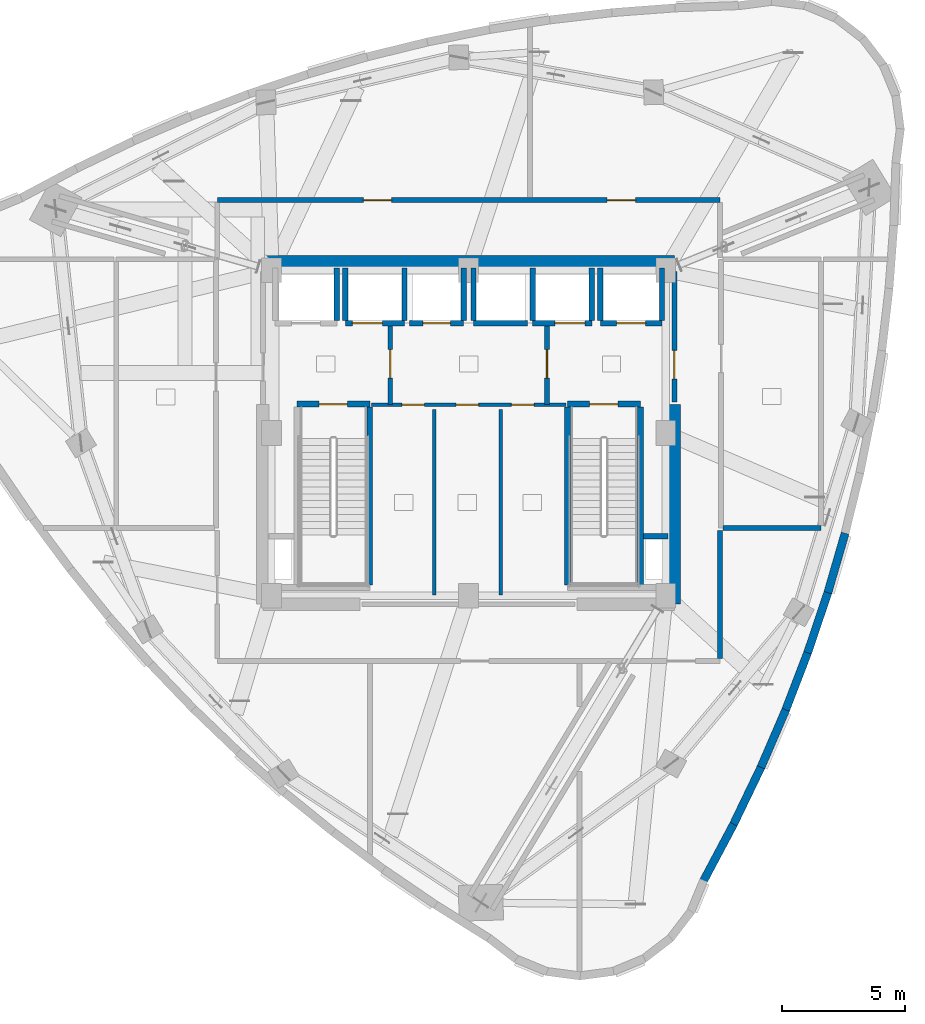
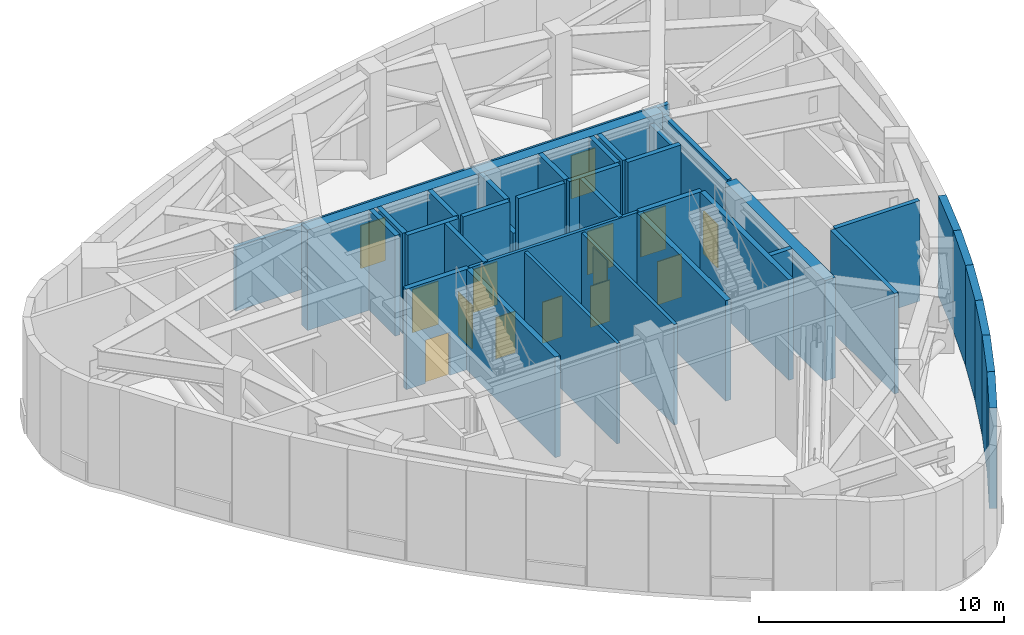
# One storey, part 6 of 10: 37 walls, 14 doors, 14 openings.
"""IFC4 building model written with IfcOpenShell, lengths in metres."""

from ifc_helpers import new_model, si_unit, direction, frame, frame_2d, origin, place, context, subcontext, project, spatial, rectangle, extrude, material, layer, layer_set, type_object, element, fill, save


model = new_model("IFC4")

# Units and contexts
model_context = context("Model", 3, precision=1e-05, world=origin(), true_north=direction((0.0, 1.0)))
body_context = subcontext(model_context, "Body", "Model", "MODEL_VIEW")
ifc_project = project(units=[si_unit("LENGTHUNIT", "METRE"), si_unit("AREAUNIT", "SQUARE_METRE"), si_unit("VOLUMEUNIT", "CUBIC_METRE"), si_unit("PLANEANGLEUNIT", "RADIAN"), si_unit("MASSUNIT", "GRAM", prefix="KILO")], contexts=[model_context])

# Site, building, storey
site_placement = place(None, origin())
site = spatial("IfcSite", under=ifc_project, at=site_placement, CompositionType="ELEMENT")
building_placement = place(site_placement, origin())
building = spatial("IfcBuilding", under=site, at=building_placement, Name="Ndelora Gate Hotel", CompositionType="ELEMENT")
storey_placement = place(building_placement, frame((0.0, 0.0, 254.949951171875)))
storey = spatial("IfcBuildingStorey", under=building, at=storey_placement, Name="L64", CompositionType="ELEMENT", Elevation=254.949951171875)

# Walls
ifc_material_1 = material(Name="Clay Brick Masonry", Category="masonry")
ifc_layer_1 = layer(ifc_material_1, 0.330078125)
ifc_layer_set_1 = layer_set([ifc_layer_1], Name="Clay Brick Masonry")
wall_type_1 = type_object("IfcWallType", Name="WL-BRICK-330", PredefinedType="SOLIDWALL", material=ifc_layer_set_1)
wall_1_placement = place(storey_placement, frame((10.757080078125, -15.878662109375, 0.0), z_axis=(0.0, 0.0, 1.0), x_axis=(-0.469340621103, -0.883017203333, 0.0)))
element("IfcWall", 1, at=wall_1_placement, inside=storey, type_object=wall_type_1, Name="L64 Tower Brick Pier-and-Spandrel Wall TWR-29", PredefinedType="SOLIDWALL", context=body_context, shape_type="SweptSolid", body=[
    extrude(rectangle(XDim=2.631591796875, YDim=0.330078125, at=frame_2d((1.31591796875, 0.0))), origin(), (0.0, 0.0, 1.0), 5.0),
])
wall_2_placement = place(storey_placement, frame((11.8662109375, -13.5712890625, 0.0), z_axis=(0.0, 0.0, 1.0), x_axis=(-0.433579346382, -0.901115392384, 0.0)))
element("IfcWall", 2, at=wall_2_placement, inside=storey, type_object=wall_type_1, Name="L64 Tower Brick Pier-and-Spandrel Wall TWR-30", PredefinedType="SOLIDWALL", context=body_context, shape_type="SweptSolid", body=[
    extrude(rectangle(XDim=2.60986328125, YDim=0.330078125, at=frame_2d((1.304931640625, 0.0))), origin(), (0.0, 0.0, 1.0), 5.0),
])
wall_3_placement = place(storey_placement, frame((12.873291015625, -11.236572265625, 0.0), z_axis=(0.0, 0.0, 1.0), x_axis=(-0.39645225089, -0.918055342975, 0.0)))
element("IfcWall", 3, at=wall_3_placement, inside=storey, type_object=wall_type_1, Name="L64 Tower Brick Pier-and-Spandrel Wall TWR-31", PredefinedType="SOLIDWALL", context=body_context, shape_type="SweptSolid", body=[
    extrude(rectangle(XDim=2.592529296875, YDim=0.330078125, at=frame_2d((1.29638671875, 0.0))), origin(), (0.0, 0.0, 1.0), 5.0),
])
wall_4_placement = place(storey_placement, frame((13.7783203125, -8.874755859375, 0.0), z_axis=(0.0, 0.0, 1.0), x_axis=(-0.358249580592, -0.933625855472, 0.0)))
element("IfcWall", 4, at=wall_4_placement, inside=storey, type_object=wall_type_1, Name="L64 Tower Brick Pier-and-Spandrel Wall TWR-32", PredefinedType="SOLIDWALL", context=body_context, shape_type="SweptSolid", body=[
    extrude(rectangle(XDim=2.579345703125, YDim=0.330078125, at=frame_2d((1.28955078125, 0.0))), origin(), (0.0, 0.0, 1.0), 5.0),
])
wall_5_placement = place(storey_placement, frame((14.581298828125, -6.485595703125, 0.0), z_axis=(0.0, 0.0, 1.0), x_axis=(-0.319047358275, -0.947738773702, 0.0)))
element("IfcWall", 5, at=wall_5_placement, inside=storey, type_object=wall_type_1, Name="L64 Tower Brick Pier-and-Spandrel Wall TWR-33", PredefinedType="SOLIDWALL", context=body_context, shape_type="SweptSolid", body=[
    extrude(rectangle(XDim=2.5703125, YDim=0.330078125, at=frame_2d((1.28515625, 0.0))), origin(), (0.0, 0.0, 1.0), 5.0),
])
wall_6_placement = place(storey_placement, frame((15.2822265625, -4.069091796875, 0.0), z_axis=(0.0, 0.0, 1.0), x_axis=(-0.279053612495, -0.960275523667, 0.0)))
element("IfcWall", 6, at=wall_6_placement, inside=storey, type_object=wall_type_1, Name="L64 Tower Brick Pier-and-Spandrel Wall TWR-34", PredefinedType="SOLIDWALL", context=body_context, shape_type="SweptSolid", body=[
    extrude(rectangle(XDim=2.566162109375, YDim=0.330078125, at=frame_2d((1.283203125, 0.0))), origin(), (0.0, 0.0, 1.0), 5.0),
])
ifc_material_2 = material(Name="Concrete C50/60", Category="concrete")
ifc_layer_2 = layer(ifc_material_2, 0.5)
ifc_layer_set_2 = layer_set([ifc_layer_2], Name="Concrete C50/60")
wall_type_2 = type_object("IfcWallType", Name="WL-CORE-500", PredefinedType="SHEAR", material=ifc_layer_set_2)
wall_7_placement = place(storey_placement, frame((-8.35009765625, 6.949951171875, 0.0), z_axis=(0.0, 0.0, 1.0), x_axis=(1.0, 0.0, 0.0)))
element("IfcWall", 7, at=wall_7_placement, inside=storey, type_object=wall_type_2, Name="L64 Core Shear Wall N", PredefinedType="SHEAR", context=body_context, shape_type="SweptSolid", body=[
    extrude(rectangle(XDim=16.7001953125, YDim=0.5, at=frame_2d((8.35009765625, 0.0))), origin(), (0.0, 0.0, 1.0), 5.0),
])
wall_8_placement = place(storey_placement, frame((8.35009765625, -6.949951171875, 0.0), z_axis=(0.0, 0.0, 1.0), x_axis=(0.0, 1.0, 0.0)))
element("IfcWall", 8, at=wall_8_placement, inside=storey, type_object=wall_type_2, Name="L64 Core Shear Wall E", PredefinedType="SHEAR", context=body_context, shape_type="SweptSolid", body=[
    extrude(rectangle(XDim=8.099853515625, YDim=0.5, at=frame_2d((4.0498046875, 0.0))), origin(), (0.0, 0.0, 1.0), 5.0),
])

# Wall, opening, door
ifc_material_3 = material(Name="Concrete C40/50", Category="concrete")
ifc_layer_3 = layer(ifc_material_3, 0.199951171875)
ifc_layer_set_3 = layer_set([ifc_layer_3], Name="Concrete C40/50")
wall_type_3 = type_object("IfcWallType", Name="WL-FIRE-200", PredefinedType="PARTITIONING", material=ifc_layer_set_3)
wall_9_placement = place(storey_placement, frame((-3.179931640625, 1.14990234375, 0.0), z_axis=(0.0, 0.0, 1.0), x_axis=(0.0, 1.0, 0.0)))
wall_9 = element("IfcWall", 9, at=wall_9_placement, inside=storey, type_object=wall_type_3, Name="L64 Interior Wall IW-2", PredefinedType="PARTITIONING", context=body_context, shape_type="SweptSolid", body=[
    extrude(rectangle(XDim=3.300048828125, YDim=0.199951171875, at=frame_2d((1.64990234375, 0.0))), origin(), (0.0, 0.0, 1.0), 5.0),
])
opening_1_placement = place(wall_9_placement, frame((1.080078125, 0.0, 0.0)))
opening_1 = element("IfcOpeningElement", 10, at=opening_1_placement, cuts=wall_9, Name="Opening FD1", PredefinedType="OPENING", context=body_context, shape_type="SweptSolid", body=[
    extrude(rectangle(XDim=1.14990234375, YDim=2.14990234375, at=frame_2d((0.574951171875, 1.074951171875))), frame((0.0, 0.10986328125, 0.0), z_axis=(0.0, -1.0, 0.0), x_axis=(1.0, 0.0, 0.0)), (0.0, 0.0, 1.0), 0.219970703125),
])
ifc_material_4 = material(Name="Fire-Rated Timber-Veneer Steel Core", Category="steel")
door_type_1 = type_object("IfcDoorType", Name="DR-FD60", OperationType="SINGLE_SWING_LEFT", PredefinedType="DOOR", material=ifc_material_4)
door_1_placement = place(opening_1_placement, origin())
door_1 = element("IfcDoor", 11, at=door_1_placement, inside=storey, type_object=door_type_1, Name="L64 Firefighting Lobby West Door", OperationType="SINGLE_SWING_RIGHT", OverallHeight=2.14990234375, OverallWidth=1.14990234375, PredefinedType="DOOR", context=body_context, shape_type="SweptSolid", body=[
    extrude(rectangle(XDim=1.14990234375, YDim=2.14990234375, at=frame_2d((0.574951171875, 1.074951171875))), frame((0.0, 0.02490234375, 0.0), z_axis=(0.0, -1.0, 0.0), x_axis=(1.0, 0.0, 0.0)), (0.0, 0.0, 1.0), 0.050048828125),
])
fill(opening_1, door_1)

wall_10_placement = place(storey_placement, frame((3.179931640625, 1.14990234375, 0.0), z_axis=(0.0, 0.0, 1.0), x_axis=(0.0, 1.0, 0.0)))
wall_10 = element("IfcWall", 12, at=wall_10_placement, inside=storey, type_object=wall_type_3, Name="L64 Interior Wall IW-2", PredefinedType="PARTITIONING", context=body_context, shape_type="SweptSolid", body=[
    extrude(rectangle(XDim=3.300048828125, YDim=0.199951171875, at=frame_2d((1.64990234375, 0.0))), origin(), (0.0, 0.0, 1.0), 5.0),
])
opening_2_placement = place(wall_10_placement, frame((1.080078125, 0.0, 0.0)))
opening_2 = element("IfcOpeningElement", 13, at=opening_2_placement, cuts=wall_10, Name="Opening FD1", PredefinedType="OPENING", context=body_context, shape_type="SweptSolid", body=[
    extrude(rectangle(XDim=1.14990234375, YDim=2.14990234375, at=frame_2d((0.574951171875, 1.074951171875))), frame((0.0, 0.10986328125, 0.0), z_axis=(0.0, -1.0, 0.0), x_axis=(1.0, 0.0, 0.0)), (0.0, 0.0, 1.0), 0.219970703125),
])
door_2_placement = place(opening_2_placement, origin())
door_2 = element("IfcDoor", 14, at=door_2_placement, inside=storey, type_object=door_type_1, Name="L64 Firefighting Lobby East Door", OperationType="SINGLE_SWING_LEFT", OverallHeight=2.14990234375, OverallWidth=1.14990234375, PredefinedType="DOOR", context=body_context, shape_type="SweptSolid", body=[
    extrude(rectangle(XDim=1.14990234375, YDim=2.14990234375, at=frame_2d((0.574951171875, 1.074951171875))), frame((0.0, 0.02490234375, 0.0), z_axis=(0.0, -1.0, 0.0), x_axis=(1.0, 0.0, 0.0)), (0.0, 0.0, 1.0), 0.050048828125),
])
fill(opening_2, door_2)

wall_11_placement = place(storey_placement, frame((8.35009765625, 1.25, 0.0), z_axis=(0.0, 0.0, 1.0), x_axis=(0.0, 1.0, 0.0)))
wall_11 = element("IfcWall", 15, at=wall_11_placement, inside=storey, type_object=wall_type_3, Name="L64 Interior Wall IW-2", PredefinedType="PARTITIONING", context=body_context, shape_type="SweptSolid", body=[
    extrude(rectangle(XDim=5.300048828125, YDim=0.199951171875, at=frame_2d((2.64990234375, 0.0))), origin(), (0.0, 0.0, 1.0), 5.0),
])
opening_3_placement = place(wall_11_placement, frame((0.949951171875, 0.0, 0.0)))
opening_3 = element("IfcOpeningElement", 16, at=opening_3_placement, cuts=wall_11, Name="Opening FD1", PredefinedType="OPENING", context=body_context, shape_type="SweptSolid", body=[
    extrude(rectangle(XDim=1.14990234375, YDim=2.14990234375, at=frame_2d((0.574951171875, 1.074951171875))), frame((0.0, 0.10986328125, 0.0), z_axis=(0.0, -1.0, 0.0), x_axis=(1.0, 0.0, 0.0)), (0.0, 0.0, 1.0), 0.219970703125),
])
door_3_placement = place(opening_3_placement, origin())
door_3 = element("IfcDoor", 17, at=door_3_placement, inside=storey, type_object=door_type_1, Name="L64 Firefighting Lobby East Corridor Door", OperationType="SINGLE_SWING_RIGHT", OverallHeight=2.14990234375, OverallWidth=1.14990234375, PredefinedType="DOOR", context=body_context, shape_type="SweptSolid", body=[
    extrude(rectangle(XDim=1.14990234375, YDim=2.14990234375, at=frame_2d((0.574951171875, 1.074951171875))), frame((0.0, 0.02490234375, 0.0), z_axis=(0.0, -1.0, 0.0), x_axis=(1.0, 0.0, 0.0)), (0.0, 0.0, 1.0), 0.050048828125),
])
fill(opening_3, door_3)

# Wall
wall_12_placement = place(storey_placement, frame((10.320068359375, -3.85009765625, 0.0), z_axis=(0.0, 0.0, 1.0), x_axis=(1.0, 0.0, 0.0)))
element("IfcWall", 18, at=wall_12_placement, inside=storey, type_object=wall_type_3, Name="L64 Interior Wall IW-2", PredefinedType="PARTITIONING", context=body_context, shape_type="SweptSolid", body=[
    extrude(rectangle(XDim=3.97998046875, YDim=0.199951171875, at=frame_2d((1.989990234375, 0.0))), origin(), (0.0, 0.0, 1.0), 5.0),
])

# Wall, openings, doors
wall_13_placement = place(storey_placement, frame((10.199951171875, 9.449951171875, 0.0), z_axis=(0.0, 0.0, 1.0), x_axis=(-1.0, 0.0, 0.0)))
wall_13 = element("IfcWall", 19, at=wall_13_placement, inside=storey, type_object=wall_type_3, Name="L64 Interior Wall IW-2", PredefinedType="PARTITIONING", context=body_context, shape_type="SweptSolid", body=[
    extrude(rectangle(XDim=20.39990234375, YDim=0.199951171875, at=frame_2d((10.199951171875, 0.0))), origin(), (0.0, 0.0, 1.0), 3.179931640625),
])
opening_4_placement = place(wall_13_placement, frame((13.324951171875, 0.0, 0.0)))
opening_4 = element("IfcOpeningElement", 20, at=opening_4_placement, cuts=wall_13, Name="Opening FD1", PredefinedType="OPENING", context=body_context, shape_type="SweptSolid", body=[
    extrude(rectangle(XDim=1.14990234375, YDim=2.14990234375, at=frame_2d((0.574951171875, 1.074951171875))), frame((0.0, 0.10986328125, 0.0), z_axis=(0.0, -1.0, 0.0), x_axis=(1.0, 0.0, 0.0)), (0.0, 0.0, 1.0), 0.219970703125),
])
opening_5_placement = place(wall_13_placement, frame((3.425048828125, 0.0, 0.0)))
opening_5 = element("IfcOpeningElement", 21, at=opening_5_placement, cuts=wall_13, Name="Opening FD1", PredefinedType="OPENING", context=body_context, shape_type="SweptSolid", body=[
    extrude(rectangle(XDim=1.14990234375, YDim=2.14990234375, at=frame_2d((0.574951171875, 1.074951171875))), frame((0.0, 0.10986328125, 0.0), z_axis=(0.0, -1.0, 0.0), x_axis=(1.0, 0.0, 0.0)), (0.0, 0.0, 1.0), 0.219970703125),
])
door_4_placement = place(opening_4_placement, origin())
door_4 = element("IfcDoor", 22, at=door_4_placement, inside=storey, type_object=door_type_1, Name="L64 Chiller and Heat Rejection Plant Room Fire Door", OperationType="SINGLE_SWING_RIGHT", OverallHeight=2.14990234375, OverallWidth=1.14990234375, PredefinedType="DOOR", context=body_context, shape_type="SweptSolid", body=[
    extrude(rectangle(XDim=1.14990234375, YDim=2.14990234375, at=frame_2d((0.574951171875, 1.074951171875))), frame((0.0, 0.02490234375, 0.0), z_axis=(0.0, -1.0, 0.0), x_axis=(1.0, 0.0, 0.0)), (0.0, 0.0, 1.0), 0.050048828125),
])
fill(opening_4, door_4)
door_5_placement = place(opening_5_placement, origin())
door_5 = element("IfcDoor", 23, at=door_5_placement, inside=storey, type_object=door_type_1, Name="L64 Highland AHU Ventilation Fan Room Fire Door", OperationType="SINGLE_SWING_LEFT", OverallHeight=2.14990234375, OverallWidth=1.14990234375, PredefinedType="DOOR", context=body_context, shape_type="SweptSolid", body=[
    extrude(rectangle(XDim=1.14990234375, YDim=2.14990234375, at=frame_2d((0.574951171875, 1.074951171875))), frame((0.0, 0.02490234375, 0.0), z_axis=(0.0, -1.0, 0.0), x_axis=(1.0, 0.0, 0.0)), (0.0, 0.0, 1.0), 0.050048828125),
])
fill(opening_5, door_5)

# Wall
wall_14_placement = place(storey_placement, frame((10.199951171875, -9.14990234375, 0.0), z_axis=(0.0, 0.0, 1.0), x_axis=(0.0, 1.0, 0.0)))
element("IfcWall", 24, at=wall_14_placement, inside=storey, type_object=wall_type_3, Name="L64 Interior Wall IW-2", PredefinedType="PARTITIONING", context=body_context, shape_type="SweptSolid", body=[
    extrude(rectangle(XDim=5.199951171875, YDim=0.199951171875, at=frame_2d((2.60009765625, 0.0))), origin(), (0.0, 0.0, 1.0), 5.0),
])

# Wall, openings, doors
ifc_material_5 = material(Name="Fire-Rated Gypsum Stud Partition", Category="gypsum")
ifc_layer_4 = layer(ifc_material_5, 0.14990234375)
ifc_layer_set_4 = layer_set([ifc_layer_4], Name="Fire-Rated Gypsum Stud Partition")
wall_type_4 = type_object("IfcWallType", Name="WL-PART-150", PredefinedType="PARTITIONING", material=ifc_layer_set_4)
wall_15_placement = place(storey_placement, frame((3.949951171875, 1.14990234375, 0.0), z_axis=(0.0, 0.0, 1.0), x_axis=(-1.0, 0.0, 0.0)))
wall_15 = element("IfcWall", 25, at=wall_15_placement, inside=storey, type_object=wall_type_4, Name="L64 Interior Wall IW-5", PredefinedType="PARTITIONING", context=body_context, shape_type="SweptSolid", body=[
    extrude(rectangle(XDim=7.89990234375, YDim=0.14990234375, at=frame_2d((3.949951171875, 0.0))), origin(), (0.0, 0.0, 1.0), 5.0),
])
opening_6_placement = place(wall_15_placement, frame((5.739990234375, 0.0, 0.0)))
opening_6 = element("IfcOpeningElement", 26, at=opening_6_placement, cuts=wall_15, Name="Opening D04", PredefinedType="OPENING", context=body_context, shape_type="SweptSolid", body=[
    extrude(rectangle(XDim=0.919921875, YDim=2.050048828125, at=frame_2d((0.4599609375, 1.02490234375))), frame((0.0, 0.0849609375, 0.0), z_axis=(0.0, -1.0, 0.0), x_axis=(1.0, 0.0, 0.0)), (0.0, 0.0, 1.0), 0.169921875),
])
opening_7_placement = place(wall_15_placement, frame((3.5400390625, 0.0, 0.0)))
opening_7 = element("IfcOpeningElement", 27, at=opening_7_placement, cuts=wall_15, Name="Opening D04", PredefinedType="OPENING", context=body_context, shape_type="SweptSolid", body=[
    extrude(rectangle(XDim=0.919921875, YDim=2.050048828125, at=frame_2d((0.4599609375, 1.02490234375))), frame((0.0, 0.0849609375, 0.0), z_axis=(0.0, -1.0, 0.0), x_axis=(1.0, 0.0, 0.0)), (0.0, 0.0, 1.0), 0.169921875),
])
opening_8_placement = place(wall_15_placement, frame((1.2900390625, 0.0, 0.0)))
opening_8 = element("IfcOpeningElement", 28, at=opening_8_placement, cuts=wall_15, Name="Opening D04", PredefinedType="OPENING", context=body_context, shape_type="SweptSolid", body=[
    extrude(rectangle(XDim=0.919921875, YDim=2.050048828125, at=frame_2d((0.4599609375, 1.02490234375))), frame((0.0, 0.0849609375, 0.0), z_axis=(0.0, -1.0, 0.0), x_axis=(1.0, 0.0, 0.0)), (0.0, 0.0, 1.0), 0.169921875),
])
ifc_material_6 = material(Name="Painted Steel Core Service Door", Category="steel")
door_type_2 = type_object("IfcDoorType", Name="DR-SER-920", OperationType="SINGLE_SWING_LEFT", PredefinedType="DOOR", material=ifc_material_6)
door_6_placement = place(opening_6_placement, origin())
door_6 = element("IfcDoor", 29, at=door_6_placement, inside=storey, type_object=door_type_2, Name="L64 Core Cleaners Store Door", OperationType="SINGLE_SWING_LEFT", OverallHeight=2.050048828125, OverallWidth=0.919921875, PredefinedType="DOOR", context=body_context, shape_type="SweptSolid", body=[
    extrude(rectangle(XDim=0.919921875, YDim=2.050048828125, at=frame_2d((0.4599609375, 1.02490234375))), frame((0.0, 0.02490234375, 0.0), z_axis=(0.0, -1.0, 0.0), x_axis=(1.0, 0.0, 0.0)), (0.0, 0.0, 1.0), 0.050048828125),
])
fill(opening_6, door_6)
door_7_placement = place(opening_7_placement, origin())
door_7 = element("IfcDoor", 30, at=door_7_placement, inside=storey, type_object=door_type_2, Name="L64 Core Telecoms Equipment Room Door", OperationType="SINGLE_SWING_RIGHT", OverallHeight=2.050048828125, OverallWidth=0.919921875, PredefinedType="DOOR", context=body_context, shape_type="SweptSolid", body=[
    extrude(rectangle(XDim=0.919921875, YDim=2.050048828125, at=frame_2d((0.4599609375, 1.02490234375))), frame((0.0, 0.02490234375, 0.0), z_axis=(0.0, -1.0, 0.0), x_axis=(1.0, 0.0, 0.0)), (0.0, 0.0, 1.0), 0.050048828125),
])
fill(opening_7, door_7)
door_8_placement = place(opening_8_placement, origin())
door_8 = element("IfcDoor", 31, at=door_8_placement, inside=storey, type_object=door_type_2, Name="L64 Core Electrical Metering Room Door", OperationType="SINGLE_SWING_LEFT", OverallHeight=2.050048828125, OverallWidth=0.919921875, PredefinedType="DOOR", context=body_context, shape_type="SweptSolid", body=[
    extrude(rectangle(XDim=0.919921875, YDim=2.050048828125, at=frame_2d((0.4599609375, 1.02490234375))), frame((0.0, 0.02490234375, 0.0), z_axis=(0.0, -1.0, 0.0), x_axis=(1.0, 0.0, 0.0)), (0.0, 0.0, 1.0), 0.050048828125),
])
fill(opening_8, door_8)

# Walls
for number, where, z_axis, x_axis, name in (
    (32, (-1.39990234375, -6.580078125, 0.0), (0.0, 0.0, 1.0), (0.0, 1.0, 0.0), "L64 Interior Wall IW-5"),
    (33, (1.300048828125, -6.580078125, 0.0), (0.0, 0.0, 1.0), (0.0, 1.0, 0.0), "L64 Interior Wall IW-5"),
):
    element("IfcWall", number, at=place(storey_placement, frame(where, z_axis=z_axis, x_axis=x_axis)), inside=storey, type_object=wall_type_4, Name=name, PredefinedType="PARTITIONING", context=body_context, shape_type="SweptSolid", body=[
        extrude(rectangle(XDim=7.530029296875, YDim=0.14990234375, at=frame_2d((3.76513671875, 0.0))), origin(), (0.0, 0.0, 1.0), 5.0),
    ])
ifc_layer_5 = layer(ifc_material_3, 0.219970703125)
ifc_layer_set_5 = layer_set([ifc_layer_5], Name="Concrete C40/50")
wall_type_5 = type_object("IfcWallType", Name="WL-SHAFT-220", PredefinedType="PARTITIONING", material=ifc_layer_set_5)
wall_16_placement = place(storey_placement, frame((7.090087890625, -4.199951171875, 0.0), z_axis=(0.0, 0.0, 1.0), x_axis=(1.0, 0.0, 0.0)))
element("IfcWall", 34, at=wall_16_placement, inside=storey, type_object=wall_type_5, Name="L64 Interior Wall IW-1", PredefinedType="PARTITIONING", context=body_context, shape_type="SweptSolid", body=[
    extrude(rectangle(XDim=1.010009765625, YDim=0.219970703125, at=frame_2d((0.5048828125, 0.0))), origin(), (0.0, 0.0, 1.0), 5.0),
])
wall_17_placement = place(storey_placement, frame((-5.35009765625, 4.570068359375, 0.0), z_axis=(0.0, 0.0, 1.0), x_axis=(0.0, 1.0, 0.0)))
element("IfcWall", 35, at=wall_17_placement, inside=storey, type_object=wall_type_5, Name="L64 Interior Wall IW-1", PredefinedType="PARTITIONING", context=body_context, shape_type="SweptSolid", body=[
    extrude(rectangle(XDim=2.1298828125, YDim=0.219970703125, at=frame_2d((1.06494140625, 0.0))), origin(), (0.0, 0.0, 1.0), 5.0),
])

# Wall, opening, door
wall_18_placement = place(storey_placement, frame((5.35009765625, 4.449951171875, 0.0), z_axis=(0.0, 0.0, 1.0), x_axis=(1.0, 0.0, 0.0)))
wall_18 = element("IfcWall", 36, at=wall_18_placement, inside=storey, type_object=wall_type_5, Name="L64 Interior Wall IW-1", PredefinedType="PARTITIONING", context=body_context, shape_type="SweptSolid", body=[
    extrude(rectangle(XDim=2.5, YDim=0.219970703125, at=frame_2d((1.25, 0.0))), origin(), (0.0, 0.0, 1.0), 5.0),
])
opening_9_placement = place(wall_18_placement, frame((0.659912109375, 0.0, 0.0)))
opening_9 = element("IfcOpeningElement", 37, at=opening_9_placement, cuts=wall_18, Name="Opening LD5", PredefinedType="OPENING", context=body_context, shape_type="SweptSolid", body=[
    extrude(rectangle(XDim=1.179931640625, YDim=2.14990234375, at=frame_2d((0.58984375, 1.074951171875))), frame((0.0, 0.1201171875, 0.0), z_axis=(0.0, -1.0, 0.0), x_axis=(1.0, 0.0, 0.0)), (0.0, 0.0, 1.0), 0.239990234375),
])
ifc_material_7 = material(Name="Firefighting Lift Stainless Sliding Landing Door", Category="metal")
door_type_3 = type_object("IfcDoorType", Name="DR-LD5", OperationType="DOUBLE_DOOR_SLIDING", PredefinedType="DOOR", material=ifc_material_7)
door_9_placement = place(opening_9_placement, origin())
door_9 = element("IfcDoor", 38, at=door_9_placement, inside=storey, type_object=door_type_3, Name="L64 Lift Landing Sliding Door FFL2", OperationType="DOUBLE_DOOR_SLIDING", OverallHeight=2.14990234375, OverallWidth=1.179931640625, PredefinedType="DOOR", context=body_context, shape_type="SweptSolid", body=[
    extrude(rectangle(XDim=1.179931640625, YDim=2.14990234375, at=frame_2d((0.58984375, 1.074951171875))), frame((0.0, 0.02490234375, 0.0), z_axis=(0.0, -1.0, 0.0), x_axis=(1.0, 0.0, 0.0)), (0.0, 0.0, 1.0), 0.050048828125),
])
fill(opening_9, door_9)

# Walls
wall_19_placement = place(storey_placement, frame((5.35009765625, 4.570068359375, 0.0), z_axis=(0.0, 0.0, 1.0), x_axis=(0.0, 1.0, 0.0)))
element("IfcWall", 39, at=wall_19_placement, inside=storey, type_object=wall_type_5, Name="L64 Interior Wall IW-1", PredefinedType="PARTITIONING", context=body_context, shape_type="SweptSolid", body=[
    extrude(rectangle(XDim=2.1298828125, YDim=0.219970703125, at=frame_2d((1.06494140625, 0.0))), origin(), (0.0, 0.0, 1.0), 5.0),
])
wall_20_placement = place(storey_placement, frame((7.85009765625, 4.570068359375, 0.0), z_axis=(0.0, 0.0, 1.0), x_axis=(0.0, 1.0, 0.0)))
element("IfcWall", 40, at=wall_20_placement, inside=storey, type_object=wall_type_5, Name="L64 Interior Wall IW-1", PredefinedType="PARTITIONING", context=body_context, shape_type="SweptSolid", body=[
    extrude(rectangle(XDim=2.1298828125, YDim=0.219970703125, at=frame_2d((1.06494140625, 0.0))), origin(), (0.0, 0.0, 1.0), 4.630126953125),
])

# Wall, opening, door
wall_21_placement = place(storey_placement, frame((-5.0, 4.449951171875, 0.0), z_axis=(0.0, 0.0, 1.0), x_axis=(1.0, 0.0, 0.0)))
wall_21 = element("IfcWall", 41, at=wall_21_placement, inside=storey, type_object=wall_type_5, Name="L64 Interior Wall IW-1", PredefinedType="PARTITIONING", context=body_context, shape_type="SweptSolid", body=[
    extrude(rectangle(XDim=2.39990234375, YDim=0.219970703125, at=frame_2d((1.199951171875, 0.0))), origin(), (0.0, 0.0, 1.0), 5.0),
])
opening_10_placement = place(wall_21_placement, frame((0.280029296875, 0.0, 0.0)))
opening_10 = element("IfcOpeningElement", 42, at=opening_10_placement, cuts=wall_21, Name="Opening LD6", PredefinedType="OPENING", context=body_context, shape_type="SweptSolid", body=[
    extrude(rectangle(XDim=1.219970703125, YDim=2.14990234375, at=frame_2d((0.60986328125, 1.074951171875))), frame((0.0, 0.1201171875, 0.0), z_axis=(0.0, -1.0, 0.0), x_axis=(1.0, 0.0, 0.0)), (0.0, 0.0, 1.0), 0.239990234375),
])
ifc_material_8 = material(Name="Heavy-Duty Service Lift Sliding Landing Door", Category="wood")
door_type_4 = type_object("IfcDoorType", Name="DR-LD6", OperationType="DOUBLE_DOOR_SLIDING", PredefinedType="DOOR", material=ifc_material_8)
door_10_placement = place(opening_10_placement, origin())
door_10 = element("IfcDoor", 43, at=door_10_placement, inside=storey, type_object=door_type_4, Name="L64 Lift Landing Sliding Door SVL1", OperationType="DOUBLE_DOOR_SLIDING", OverallHeight=2.14990234375, OverallWidth=1.219970703125, PredefinedType="DOOR", context=body_context, shape_type="SweptSolid", body=[
    extrude(rectangle(XDim=1.219970703125, YDim=2.14990234375, at=frame_2d((0.60986328125, 1.074951171875))), frame((0.0, 0.02490234375, 0.0), z_axis=(0.0, -1.0, 0.0), x_axis=(1.0, 0.0, 0.0)), (0.0, 0.0, 1.0), 0.050048828125),
])
fill(opening_10, door_10)

# Walls
for number, where, z_axis, x_axis, name in (
    (44, (-5.0, 4.570068359375, 0.0), (0.0, 0.0, 1.0), (0.0, 1.0, 0.0), "L64 Interior Wall IW-1"),
    (45, (-2.60009765625, 4.570068359375, 0.0), (0.0, 0.0, 1.0), (0.0, 1.0, 0.0), "L64 Interior Wall IW-1"),
):
    element("IfcWall", number, at=place(storey_placement, frame(where, z_axis=z_axis, x_axis=x_axis)), inside=storey, type_object=wall_type_5, Name=name, PredefinedType="PARTITIONING", context=body_context, shape_type="SweptSolid", body=[
        extrude(rectangle(XDim=2.1298828125, YDim=0.219970703125, at=frame_2d((1.06494140625, 0.0))), origin(), (0.0, 0.0, 1.0), 5.0),
    ])

# Wall, opening, door
wall_22_placement = place(storey_placement, frame((2.60009765625, 4.449951171875, 0.0), z_axis=(0.0, 0.0, 1.0), x_axis=(1.0, 0.0, 0.0)))
wall_22 = element("IfcWall", 46, at=wall_22_placement, inside=storey, type_object=wall_type_5, Name="L64 Interior Wall IW-1", PredefinedType="PARTITIONING", context=body_context, shape_type="SweptSolid", body=[
    extrude(rectangle(XDim=2.39990234375, YDim=0.219970703125, at=frame_2d((1.199951171875, 0.0))), origin(), (0.0, 0.0, 1.0), 5.0),
])
opening_11_placement = place(wall_22_placement, frame((0.89990234375, 0.0, 0.0)))
opening_11 = element("IfcOpeningElement", 47, at=opening_11_placement, cuts=wall_22, Name="Opening LD6", PredefinedType="OPENING", context=body_context, shape_type="SweptSolid", body=[
    extrude(rectangle(XDim=1.219970703125, YDim=2.14990234375, at=frame_2d((0.60986328125, 1.074951171875))), frame((0.0, 0.1201171875, 0.0), z_axis=(0.0, -1.0, 0.0), x_axis=(1.0, 0.0, 0.0)), (0.0, 0.0, 1.0), 0.239990234375),
])
door_11_placement = place(opening_11_placement, origin())
door_11 = element("IfcDoor", 48, at=door_11_placement, inside=storey, type_object=door_type_4, Name="L64 Lift Landing Sliding Door SVL2", OperationType="DOUBLE_DOOR_SLIDING", OverallHeight=2.14990234375, OverallWidth=1.219970703125, PredefinedType="DOOR", context=body_context, shape_type="SweptSolid", body=[
    extrude(rectangle(XDim=1.219970703125, YDim=2.14990234375, at=frame_2d((0.60986328125, 1.074951171875))), frame((0.0, 0.02490234375, 0.0), z_axis=(0.0, -1.0, 0.0), x_axis=(1.0, 0.0, 0.0)), (0.0, 0.0, 1.0), 0.050048828125),
])
fill(opening_11, door_11)

# Walls
for number, where, z_axis, x_axis, name in (
    (49, (2.60009765625, 4.570068359375, 0.0), (0.0, 0.0, 1.0), (0.0, 1.0, 0.0), "L64 Interior Wall IW-1"),
    (50, (5.0, 4.570068359375, 0.0), (0.0, 0.0, 1.0), (0.0, 1.0, 0.0), "L64 Interior Wall IW-1"),
):
    element("IfcWall", number, at=place(storey_placement, frame(where, z_axis=z_axis, x_axis=x_axis)), inside=storey, type_object=wall_type_5, Name=name, PredefinedType="PARTITIONING", context=body_context, shape_type="SweptSolid", body=[
        extrude(rectangle(XDim=2.1298828125, YDim=0.219970703125, at=frame_2d((1.06494140625, 0.0))), origin(), (0.0, 0.0, 1.0), 5.0),
    ])

# Wall, opening, door
wall_23_placement = place(storey_placement, frame((-2.39990234375, 4.449951171875, 0.0), z_axis=(0.0, 0.0, 1.0), x_axis=(1.0, 0.0, 0.0)))
wall_23 = element("IfcWall", 51, at=wall_23_placement, inside=storey, type_object=wall_type_5, Name="L64 Interior Wall IW-1", PredefinedType="PARTITIONING", context=body_context, shape_type="SweptSolid", body=[
    extrude(rectangle(XDim=2.199951171875, YDim=0.219970703125, at=frame_2d((1.10009765625, 0.0))), origin(), (0.0, 0.0, 1.0), 5.0),
])
opening_12_placement = place(wall_23_placement, frame((0.5400390625, 0.0, 0.0)))
opening_12 = element("IfcOpeningElement", 52, at=opening_12_placement, cuts=wall_23, Name="Opening LD3", PredefinedType="OPENING", context=body_context, shape_type="SweptSolid", body=[
    extrude(rectangle(XDim=1.1201171875, YDim=2.14990234375, at=frame_2d((0.56005859375, 1.074951171875))), frame((0.0, 0.1201171875, 0.0), z_axis=(0.0, -1.0, 0.0), x_axis=(1.0, 0.0, 0.0)), (0.0, 0.0, 1.0), 0.239990234375),
])
ifc_material_9 = material(Name="Brushed Bronze Stainless Lift Landing Door", Category="metal")
door_type_5 = type_object("IfcDoorType", Name="DR-LD3", OperationType="DOUBLE_DOOR_SLIDING", PredefinedType="DOOR", material=ifc_material_9)
door_12_placement = place(opening_12_placement, origin())
door_12 = element("IfcDoor", 53, at=door_12_placement, inside=storey, type_object=door_type_5, Name="L64 Lift Landing Sliding Door P3A", OperationType="DOUBLE_DOOR_SLIDING", OverallHeight=2.14990234375, OverallWidth=1.1201171875, PredefinedType="DOOR", context=body_context, shape_type="SweptSolid", body=[
    extrude(rectangle(XDim=1.1201171875, YDim=2.14990234375, at=frame_2d((0.56005859375, 1.074951171875))), frame((0.0, 0.02490234375, 0.0), z_axis=(0.0, -1.0, 0.0), x_axis=(1.0, 0.0, 0.0)), (0.0, 0.0, 1.0), 0.050048828125),
])
fill(opening_12, door_12)

# Walls
wall_24_placement = place(storey_placement, frame((-0.199951171875, 4.570068359375, 0.0), z_axis=(0.0, 0.0, 1.0), x_axis=(0.0, 1.0, 0.0)))
element("IfcWall", 54, at=wall_24_placement, inside=storey, type_object=wall_type_5, Name="L64 Interior Wall IW-1", PredefinedType="PARTITIONING", context=body_context, shape_type="SweptSolid", body=[
    extrude(rectangle(XDim=2.1298828125, YDim=0.219970703125, at=frame_2d((1.06494140625, 0.0))), origin(), (0.0, 0.0, 1.0), 5.0),
])
wall_25_placement = place(storey_placement, frame((0.199951171875, 4.449951171875, 0.0), z_axis=(0.0, 0.0, 1.0), x_axis=(1.0, 0.0, 0.0)))
element("IfcWall", 55, at=wall_25_placement, inside=storey, type_object=wall_type_5, Name="L64 Interior Wall IW-1", PredefinedType="PARTITIONING", context=body_context, shape_type="SweptSolid", body=[
    extrude(rectangle(XDim=2.199951171875, YDim=0.219970703125, at=frame_2d((1.10009765625, 0.0))), origin(), (0.0, 0.0, 1.0), 5.0),
])
wall_26_placement = place(storey_placement, frame((0.199951171875, 4.570068359375, 0.0), z_axis=(0.0, 0.0, 1.0), x_axis=(0.0, 1.0, 0.0)))
element("IfcWall", 56, at=wall_26_placement, inside=storey, type_object=wall_type_5, Name="L64 Interior Wall IW-1", PredefinedType="PARTITIONING", context=body_context, shape_type="SweptSolid", body=[
    extrude(rectangle(XDim=2.1298828125, YDim=0.219970703125, at=frame_2d((1.06494140625, 0.0))), origin(), (0.0, 0.0, 1.0), 3.179931640625),
])
ifc_layer_6 = layer(ifc_material_2, 0.239990234375)
ifc_layer_set_6 = layer_set([ifc_layer_6], Name="Concrete C50/60")
wall_type_6 = type_object("IfcWallType", Name="WL-STAIR-240", PredefinedType="SHEAR", material=ifc_layer_set_6)
wall_27_placement = place(storey_placement, frame((-4.010009765625, -6.159912109375, 0.0), z_axis=(0.0, 0.0, 1.0), x_axis=(0.0, 1.0, 0.0)))
element("IfcWall", 57, at=wall_27_placement, inside=storey, type_object=wall_type_6, Name="L64 Stair Core Shear Wall SW-ST", PredefinedType="SHEAR", context=body_context, shape_type="SweptSolid", body=[
    extrude(rectangle(XDim=7.219970703125, YDim=0.239990234375, at=frame_2d((3.60986328125, 0.0))), origin(), (0.0, 0.0, 1.0), 5.0),
])

# Wall, opening, door
wall_28_placement = place(storey_placement, frame((-6.969970703125, 1.169921875, 0.0), z_axis=(0.0, 0.0, 1.0), x_axis=(1.0, 0.0, 0.0)))
wall_28 = element("IfcWall", 58, at=wall_28_placement, inside=storey, type_object=wall_type_6, Name="L64 Stair Core Shear Wall SW-ST", PredefinedType="SHEAR", context=body_context, shape_type="SweptSolid", body=[
    extrude(rectangle(XDim=2.9599609375, YDim=0.239990234375, at=frame_2d((1.47998046875, 0.0))), origin(), (0.0, 0.0, 1.0), 5.0),
])
opening_13_placement = place(wall_28_placement, frame((0.89990234375, 0.0, 0.0)))
opening_13 = element("IfcOpeningElement", 59, at=opening_13_placement, cuts=wall_28, Name="Opening FD1", PredefinedType="OPENING", context=body_context, shape_type="SweptSolid", body=[
    extrude(rectangle(XDim=1.14990234375, YDim=2.14990234375, at=frame_2d((0.574951171875, 1.074951171875))), frame((0.0, 0.1298828125, 0.0), z_axis=(0.0, -1.0, 0.0), x_axis=(1.0, 0.0, 0.0)), (0.0, 0.0, 1.0), 0.260009765625),
])
door_13_placement = place(opening_13_placement, origin())
door_13 = element("IfcDoor", 60, at=door_13_placement, inside=storey, type_object=door_type_1, Name="L64 Exit Stair ST4 Door", OperationType="SINGLE_SWING_LEFT", OverallHeight=2.14990234375, OverallWidth=1.14990234375, PredefinedType="DOOR", context=body_context, shape_type="SweptSolid", body=[
    extrude(rectangle(XDim=1.14990234375, YDim=2.14990234375, at=frame_2d((0.574951171875, 1.074951171875))), frame((0.0, 0.02490234375, 0.0), z_axis=(0.0, -1.0, 0.0), x_axis=(1.0, 0.0, 0.0)), (0.0, 0.0, 1.0), 0.050048828125),
])
fill(opening_13, door_13)

# Walls
for number, where, z_axis, x_axis, name in (
    (61, (4.010009765625, -6.159912109375, 0.0), (0.0, 0.0, 1.0), (0.0, 1.0, 0.0), "L64 Stair Core Shear Wall SW-ST"),
    (62, (6.969970703125, -6.159912109375, 0.0), (0.0, 0.0, 1.0), (0.0, 1.0, 0.0), "L64 Stair Core Shear Wall SW-ST"),
):
    element("IfcWall", number, at=place(storey_placement, frame(where, z_axis=z_axis, x_axis=x_axis)), inside=storey, type_object=wall_type_6, Name=name, PredefinedType="SHEAR", context=body_context, shape_type="SweptSolid", body=[
        extrude(rectangle(XDim=7.219970703125, YDim=0.239990234375, at=frame_2d((3.60986328125, 0.0))), origin(), (0.0, 0.0, 1.0), 5.0),
    ])

# Wall, opening, door
wall_29_placement = place(storey_placement, frame((4.010009765625, 1.169921875, 0.0), z_axis=(0.0, 0.0, 1.0), x_axis=(1.0, 0.0, 0.0)))
wall_29 = element("IfcWall", 63, at=wall_29_placement, inside=storey, type_object=wall_type_6, Name="L64 Stair Core Shear Wall SW-ST", PredefinedType="SHEAR", context=body_context, shape_type="SweptSolid", body=[
    extrude(rectangle(XDim=2.9599609375, YDim=0.239990234375, at=frame_2d((1.47998046875, 0.0))), origin(), (0.0, 0.0, 1.0), 5.0),
])
opening_14_placement = place(wall_29_placement, frame((0.89990234375, 0.0, 0.0)))
opening_14 = element("IfcOpeningElement", 64, at=opening_14_placement, cuts=wall_29, Name="Opening FD1", PredefinedType="OPENING", context=body_context, shape_type="SweptSolid", body=[
    extrude(rectangle(XDim=1.14990234375, YDim=2.14990234375, at=frame_2d((0.574951171875, 1.074951171875))), frame((0.0, 0.1298828125, 0.0), z_axis=(0.0, -1.0, 0.0), x_axis=(1.0, 0.0, 0.0)), (0.0, 0.0, 1.0), 0.260009765625),
])
door_14_placement = place(opening_14_placement, origin())
door_14 = element("IfcDoor", 65, at=door_14_placement, inside=storey, type_object=door_type_1, Name="L64 Exit Stair ST5 Door", OperationType="SINGLE_SWING_RIGHT", OverallHeight=2.14990234375, OverallWidth=1.14990234375, PredefinedType="DOOR", context=body_context, shape_type="SweptSolid", body=[
    extrude(rectangle(XDim=1.14990234375, YDim=2.14990234375, at=frame_2d((0.574951171875, 1.074951171875))), frame((0.0, 0.02490234375, 0.0), z_axis=(0.0, -1.0, 0.0), x_axis=(1.0, 0.0, 0.0)), (0.0, 0.0, 1.0), 0.050048828125),
])
fill(opening_14, door_14)

save(model, "model.ifc")
